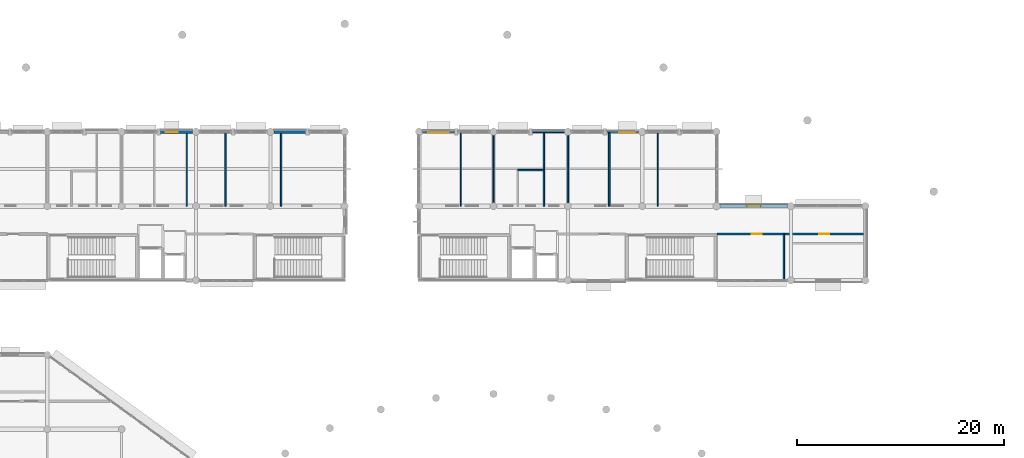
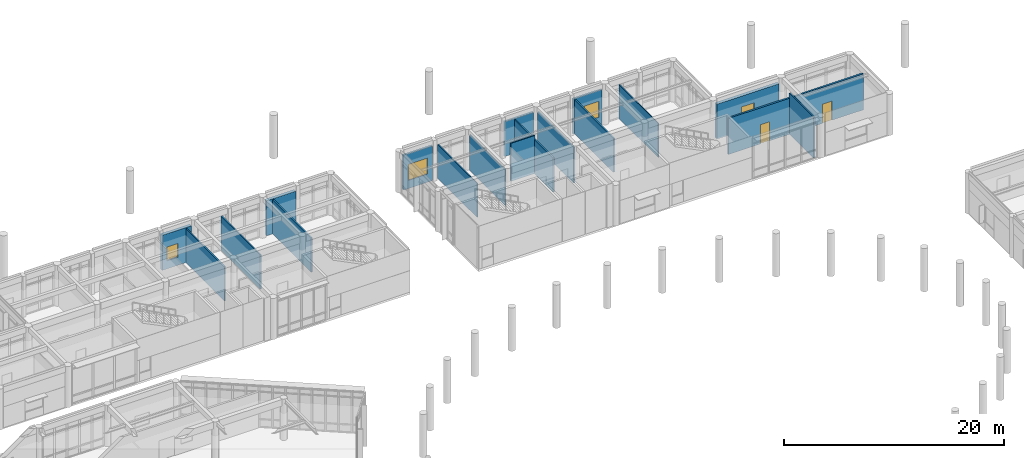
# One storey, part 52 of 92: 18 walls, 4 windows, 2 doors, 6 openings.
"""IFC4 building model written with IfcOpenShell, lengths in metres."""

from ifc_helpers import new_model, si_unit, direction, frame, frame_2d, origin, place, context, subcontext, project, spatial, rectangle, extrude, material, layer, layer_set, type_object, element, fill, save


model = new_model("IFC4")

# Units and contexts
model_context = context("Model", 3, precision=1e-05, world=origin(), true_north=direction((0.0, 1.0)))
body_context = subcontext(model_context, "Body", "Model", "MODEL_VIEW")
ifc_project = project(units=[si_unit("LENGTHUNIT", "METRE"), si_unit("AREAUNIT", "SQUARE_METRE"), si_unit("VOLUMEUNIT", "CUBIC_METRE"), si_unit("PLANEANGLEUNIT", "RADIAN"), si_unit("MASSUNIT", "GRAM", prefix="KILO")], contexts=[model_context])

# Site, building, storey
site_placement = place(None, origin())
site = spatial("IfcSite", under=ifc_project, at=site_placement, CompositionType="ELEMENT")
building_placement = place(site_placement, origin())
building = spatial("IfcBuilding", under=site, at=building_placement, Name="Namkhue Oval Health Centre", CompositionType="ELEMENT")
storey_placement = place(building_placement, frame((0.0, 0.0, 4.800048828125)))
storey = spatial("IfcBuildingStorey", under=building, at=storey_placement, Name="L01", CompositionType="ELEMENT", Elevation=4.800048828125)

# Wall, opening, window
ifc_material_1 = material(Name="Autoclaved aerated concrete blockwork M7.5", Category="masonry")
ifc_layer_1 = layer(ifc_material_1, 0.179931640625)
ifc_layer_set_1 = layer_set([ifc_layer_1], Name="Autoclaved aerated concrete blockwork M7.5")
wall_type_1 = type_object("IfcWallType", Name="EXTERIOR ENVELOPE WALL 180", PredefinedType="STANDARD", material=ifc_layer_set_1)
wall_1_placement = place(storey_placement, frame((114.85498046875, 104.39990234375, 0.0), z_axis=(0.0, 0.0, 1.0), x_axis=(-1.0, 0.0, 0.0)))
wall_1 = element("IfcWall", 1, at=wall_1_placement, inside=storey, type_object=wall_type_1, Name="Volume V3 L01 Exterior Envelope Wall 65", PredefinedType="STANDARD", context=body_context, shape_type="SweptSolid", body=[
    extrude(rectangle(XDim=3.083984375, YDim=0.179931640625, at=frame_2d((1.5419921875, 0.0))), origin(), (0.0, 0.0, 1.0), 3.8798828125),
])
opening_1_placement = place(wall_1_placement, frame((0.31689453125, 0.0, 0.89990234375)))
opening_1 = element("IfcOpeningElement", 2, at=opening_1_placement, cuts=wall_1, Name="Opening WN-42", PredefinedType="OPENING", context=body_context, shape_type="SweptSolid", body=[
    extrude(rectangle(XDim=1.550048828125, YDim=1.780029296875, at=frame_2d((0.77490234375, 0.89013671875))), frame((0.0, 0.099853515625, 0.0), z_axis=(0.0, -1.0, 0.0), x_axis=(1.0, 0.0, 0.0)), (0.0, 0.0, 1.0), 0.199951171875),
])
ifc_material_2 = material(Name="Thermally broken low-E laminated double glazing", Category="glass")
window_type_1 = type_object("IfcWindowType", Name="EXTERIOR WINDOW 1550X1780", PartitioningType="SINGLE_PANEL", PredefinedType="WINDOW", material=ifc_material_2)
window_1_placement = place(opening_1_placement, origin())
window_1 = element("IfcWindow", 3, at=window_1_placement, inside=storey, type_object=window_type_1, Name="Volume V3 L01 Exterior Window 42", OverallHeight=1.780029296875, OverallWidth=1.550048828125, PartitioningType="SINGLE_PANEL", PredefinedType="WINDOW", context=body_context, shape_type="SweptSolid", body=[
    extrude(rectangle(XDim=1.550048828125, YDim=1.780029296875, at=frame_2d((0.77490234375, 0.89013671875))), frame((0.0, 0.030029296875, 0.0), z_axis=(0.0, -1.0, 0.0), x_axis=(1.0, 0.0, 0.0)), (0.0, 0.0, 1.0), 0.06005859375),
])
fill(opening_1, window_1)

# Wall
ifc_layer_2 = layer(ifc_material_1, 0.18994140625)
ifc_layer_set_2 = layer_set([ifc_layer_2], Name="Autoclaved aerated concrete blockwork M7.5")
wall_type_2 = type_object("IfcWallType", Name="EXTERIOR ENVELOPE WALL 190", PredefinedType="STANDARD", material=ifc_layer_set_2)
wall_2_placement = place(storey_placement, frame((107.655029296875, 104.39990234375, 0.0), z_axis=(0.0, 0.0, 1.0), x_axis=(-1.0, 0.0, 0.0)))
element("IfcWall", 4, at=wall_2_placement, inside=storey, type_object=wall_type_2, Name="Volume V3 L01 Exterior Envelope Wall 66", PredefinedType="STANDARD", context=body_context, shape_type="SweptSolid", body=[
    extrude(rectangle(XDim=3.083984375, YDim=0.18994140625, at=frame_2d((1.5419921875, 0.0))), origin(), (0.0, 0.0, 1.0), 3.8798828125),
])

# Wall, opening, window
ifc_layer_3 = layer(ifc_material_1, 0.199951171875)
ifc_layer_set_3 = layer_set([ifc_layer_3], Name="Autoclaved aerated concrete blockwork M7.5")
wall_type_3 = type_object("IfcWallType", Name="EXTERIOR ENVELOPE WALL 200", PredefinedType="STANDARD", material=ifc_layer_set_3)
wall_3_placement = place(storey_placement, frame((97.029052734375, 104.39990234375, 0.0), z_axis=(0.0, 0.0, 1.0), x_axis=(-1.0, 0.0, 0.0)))
wall_3 = element("IfcWall", 5, at=wall_3_placement, inside=storey, type_object=wall_type_3, Name="Volume V3 L01 Exterior Envelope Wall 67", PredefinedType="STANDARD", context=body_context, shape_type="SweptSolid", body=[
    extrude(rectangle(XDim=3.083984375, YDim=0.199951171875, at=frame_2d((1.5419921875, 0.0))), origin(), (0.0, 0.0, 1.0), 3.8798828125),
])
opening_2_placement = place(wall_3_placement, frame((0.5419921875, 0.0, 0.89990234375)))
opening_2 = element("IfcOpeningElement", 6, at=opening_2_placement, cuts=wall_3, Name="Opening WN-44", PredefinedType="OPENING", context=body_context, shape_type="SweptSolid", body=[
    extrude(rectangle(XDim=2.0, YDim=1.780029296875, at=frame_2d((1.0, 0.89013671875))), frame((0.0, 0.10986328125, 0.0), z_axis=(0.0, -1.0, 0.0), x_axis=(1.0, 0.0, 0.0)), (0.0, 0.0, 1.0), 0.219970703125),
])
window_type_2 = type_object("IfcWindowType", Name="EXTERIOR WINDOW 2000X1780", PartitioningType="SINGLE_PANEL", PredefinedType="WINDOW", material=ifc_material_2)
window_2_placement = place(opening_2_placement, origin())
window_2 = element("IfcWindow", 7, at=window_2_placement, inside=storey, type_object=window_type_2, Name="Volume V3 L01 Exterior Window 44", OverallHeight=1.780029296875, OverallWidth=2.0, PartitioningType="SINGLE_PANEL", PredefinedType="WINDOW", context=body_context, shape_type="SweptSolid", body=[
    extrude(rectangle(XDim=2.0, YDim=1.780029296875, at=frame_2d((1.0, 0.89013671875))), frame((0.0, 0.030029296875, 0.0), z_axis=(0.0, -1.0, 0.0), x_axis=(1.0, 0.0, 0.0)), (0.0, 0.0, 1.0), 0.06005859375),
])
fill(opening_2, window_2)

# Wall
ifc_layer_4 = layer(ifc_material_1, 0.31005859375)
ifc_layer_set_4 = layer_set([ifc_layer_4], Name="Autoclaved aerated concrete blockwork M7.5")
wall_type_4 = type_object("IfcWallType", Name="EXTERIOR ENVELOPE WALL 310", PredefinedType="STANDARD", material=ifc_layer_set_4)
wall_4_placement = place(storey_placement, frame((82.62890625, 104.39990234375, 0.0), z_axis=(0.0, 0.0, 1.0), x_axis=(-1.0, 0.0, 0.0)))
element("IfcWall", 8, at=wall_4_placement, inside=storey, type_object=wall_type_4, Name="Volume V2 L01 Exterior Envelope Wall 30", PredefinedType="STANDARD", context=body_context, shape_type="SweptSolid", body=[
    extrude(rectangle(XDim=3.083984375, YDim=0.31005859375, at=frame_2d((1.5419921875, 0.0))), origin(), (0.0, 0.0, 1.0), 3.905029296875),
])

# Wall, opening, window
ifc_layer_5 = layer(ifc_material_1, 0.320068359375)
ifc_layer_set_5 = layer_set([ifc_layer_5], Name="Autoclaved aerated concrete blockwork M7.5")
wall_type_5 = type_object("IfcWallType", Name="EXTERIOR ENVELOPE WALL 320", PredefinedType="STANDARD", material=ifc_layer_set_5)
wall_5_placement = place(storey_placement, frame((71.655029296875, 104.39990234375, 0.0), z_axis=(0.0, 0.0, 1.0), x_axis=(-1.0, 0.0, 0.0)))
wall_5 = element("IfcWall", 9, at=wall_5_placement, inside=storey, type_object=wall_type_5, Name="Volume V2 L01 Exterior Envelope Wall 31", PredefinedType="STANDARD", context=body_context, shape_type="SweptSolid", body=[
    extrude(rectangle(XDim=3.083984375, YDim=0.320068359375, at=frame_2d((1.5419921875, 0.0))), origin(), (0.0, 0.0, 1.0), 3.905029296875),
])
opening_3_placement = place(wall_5_placement, frame((1.4169921875, 0.0, 0.89990234375)))
opening_3 = element("IfcOpeningElement", 10, at=opening_3_placement, cuts=wall_5, Name="Opening WN-21", PredefinedType="OPENING", context=body_context, shape_type="SweptSolid", body=[
    extrude(rectangle(XDim=1.14990234375, YDim=1.5400390625, at=frame_2d((0.574951171875, 0.77001953125))), frame((0.0, 0.169921875, 0.0), z_axis=(0.0, -1.0, 0.0), x_axis=(1.0, 0.0, 0.0)), (0.0, 0.0, 1.0), 0.340087890625),
])
window_type_3 = type_object("IfcWindowType", Name="EXTERIOR WINDOW 1150X1540", PartitioningType="SINGLE_PANEL", PredefinedType="WINDOW", material=ifc_material_2)
window_3_placement = place(opening_3_placement, origin())
window_3 = element("IfcWindow", 11, at=window_3_placement, inside=storey, type_object=window_type_3, Name="Volume V2 L01 Exterior Window 21", OverallHeight=1.5400390625, OverallWidth=1.14990234375, PartitioningType="SINGLE_PANEL", PredefinedType="WINDOW", context=body_context, shape_type="SweptSolid", body=[
    extrude(rectangle(XDim=1.14990234375, YDim=1.5400390625, at=frame_2d((0.574951171875, 0.77001953125))), frame((0.0, 0.030029296875, 0.0), z_axis=(0.0, -1.0, 0.0), x_axis=(1.0, 0.0, 0.0)), (0.0, 0.0, 1.0), 0.06005859375),
])
fill(opening_3, window_3)

ifc_layer_6 = layer(ifc_material_1, 0.330078125)
ifc_layer_set_6 = layer_set([ifc_layer_6], Name="Autoclaved aerated concrete blockwork M7.5")
wall_type_6 = type_object("IfcWallType", Name="EXTERIOR ENVELOPE WALL 330", PredefinedType="STANDARD", material=ifc_layer_set_6)
wall_6_placement = place(storey_placement, frame((129.2548828125, 97.199951171875, 0.0), z_axis=(0.0, 0.0, 1.0), x_axis=(-1.0, 0.0, 0.0)))
wall_6 = element("IfcWall", 12, at=wall_6_placement, inside=storey, type_object=wall_type_6, Name="Volume V3 L01 Exterior Envelope Wall 64", PredefinedType="STANDARD", context=body_context, shape_type="SweptSolid", body=[
    extrude(rectangle(XDim=6.509765625, YDim=0.330078125, at=frame_2d((3.2548828125, 0.0))), origin(), (0.0, 0.0, 1.0), 3.8798828125),
])
opening_4_placement = place(wall_6_placement, frame((2.580078125, 0.0, 0.89990234375)))
opening_4 = element("IfcOpeningElement", 13, at=opening_4_placement, cuts=wall_6, Name="Opening WN-41", PredefinedType="OPENING", context=body_context, shape_type="SweptSolid", body=[
    extrude(rectangle(XDim=1.35009765625, YDim=1.780029296875, at=frame_2d((0.675048828125, 0.89013671875))), frame((0.0, 0.175048828125, 0.0), z_axis=(0.0, -1.0, 0.0), x_axis=(1.0, 0.0, 0.0)), (0.0, 0.0, 1.0), 0.35009765625),
])
window_type_4 = type_object("IfcWindowType", Name="EXTERIOR WINDOW 1350X1780", PartitioningType="SINGLE_PANEL", PredefinedType="WINDOW", material=ifc_material_2)
window_4_placement = place(opening_4_placement, origin())
window_4 = element("IfcWindow", 14, at=window_4_placement, inside=storey, type_object=window_type_4, Name="Volume V3 L01 Exterior Window 41", OverallHeight=1.780029296875, OverallWidth=1.35009765625, PartitioningType="SINGLE_PANEL", PredefinedType="WINDOW", context=body_context, shape_type="SweptSolid", body=[
    extrude(rectangle(XDim=1.35009765625, YDim=1.780029296875, at=frame_2d((0.675048828125, 0.89013671875))), frame((0.0, 0.030029296875, 0.0), z_axis=(0.0, -1.0, 0.0), x_axis=(1.0, 0.0, 0.0)), (0.0, 0.0, 1.0), 0.06005859375),
])
fill(opening_4, window_4)

# Wall, openings, doors
ifc_material_3 = material(Name="Gypsum plasterboard acoustic partition", Category="gypsum")
ifc_layer_7 = layer(ifc_material_3, 0.195068359375)
ifc_layer_set_7 = layer_set([ifc_layer_7], Name="Gypsum plasterboard acoustic partition")
wall_type_7 = type_object("IfcWallType", Name="FIRE PARTITION WALL 195", PredefinedType="PARTITIONING", material=ifc_layer_set_7)
wall_7_placement = place(storey_placement, frame((122.419921875, 94.5, 0.0), z_axis=(0.0, 0.0, 1.0), x_axis=(1.0, 0.0, 0.0)))
wall_7 = element("IfcWall", 15, at=wall_7_placement, inside=storey, type_object=wall_type_7, Name="Volume V3 L01 Clinical Partition Wall 122", PredefinedType="PARTITIONING", context=body_context, shape_type="SweptSolid", body=[
    extrude(rectangle(XDim=14.197998046875, YDim=0.195068359375, at=frame_2d((7.09912109375, 0.0))), origin(), (0.0, 0.0, 1.0), 4.011962890625),
])
opening_5_placement = place(wall_7_placement, frame((3.386962890625, 0.0, 0.0)))
opening_5 = element("IfcOpeningElement", 16, at=opening_5_placement, cuts=wall_7, Name="Opening CD-08", PredefinedType="OPENING", context=body_context, shape_type="SweptSolid", body=[
    extrude(rectangle(XDim=0.949951171875, YDim=2.1298828125, at=frame_2d((0.47509765625, 1.06494140625))), frame((0.0, 0.107421875, 0.0), z_axis=(0.0, -1.0, 0.0), x_axis=(1.0, 0.0, 0.0)), (0.0, 0.0, 1.0), 0.215087890625),
])
opening_6_placement = place(wall_7_placement, frame((9.89697265625, 0.0, 0.0)))
opening_6 = element("IfcOpeningElement", 17, at=opening_6_placement, cuts=wall_7, Name="Opening CD-09", PredefinedType="OPENING", context=body_context, shape_type="SweptSolid", body=[
    extrude(rectangle(XDim=1.0, YDim=2.1298828125, at=frame_2d((0.5, 1.06494140625))), frame((0.0, 0.107421875, 0.0), z_axis=(0.0, -1.0, 0.0), x_axis=(1.0, 0.0, 0.0)), (0.0, 0.0, 1.0), 0.215087890625),
])
ifc_material_4 = material(Name="High-pressure laminate timber clinical door", Category="wood")
door_type_1 = type_object("IfcDoorType", Name="CLINICAL DOOR 1000X2130", OperationType="NOTDEFINED", PredefinedType="DOOR", material=ifc_material_4)
door_1_placement = place(opening_6_placement, frame((1.0, 0.0, 0.0), z_axis=(0.0, 0.0, 1.0), x_axis=(-1.0, 0.0, 0.0)))
door_1 = element("IfcDoor", 18, at=door_1_placement, inside=storey, type_object=door_type_1, Name="Volume V3 L01 Neurophysiology EEG Suite Door 103", OperationType="SINGLE_SWING_LEFT", OverallHeight=2.1298828125, OverallWidth=1.0, PredefinedType="DOOR", context=body_context, shape_type="SweptSolid", body=[
    extrude(rectangle(XDim=1.0, YDim=2.1298828125, at=frame_2d((0.5, 1.06494140625))), frame((0.0, 0.02490234375, 0.0), z_axis=(0.0, -1.0, 0.0), x_axis=(1.0, 0.0, 0.0)), (0.0, 0.0, 1.0), 0.050048828125),
])
fill(opening_6, door_1)
door_type_2 = type_object("IfcDoorType", Name="CLINICAL DOOR 950X2130", OperationType="NOTDEFINED", PredefinedType="DOOR", material=ifc_material_4)
door_2_placement = place(opening_5_placement, frame((0.949951171875, 0.0, 0.0), z_axis=(0.0, 0.0, 1.0), x_axis=(-1.0, 0.0, 0.0)))
door_2 = element("IfcDoor", 19, at=door_2_placement, inside=storey, type_object=door_type_2, Name="Volume V3 L01 Fetal Monitoring Clinic Door 102", OperationType="SINGLE_SWING_RIGHT", OverallHeight=2.1298828125, OverallWidth=0.949951171875, PredefinedType="DOOR", context=body_context, shape_type="SweptSolid", body=[
    extrude(rectangle(XDim=0.949951171875, YDim=2.1298828125, at=frame_2d((0.47509765625, 1.06494140625))), frame((0.0, 0.02490234375, 0.0), z_axis=(0.0, -1.0, 0.0), x_axis=(1.0, 0.0, 0.0)), (0.0, 0.0, 1.0), 0.050048828125),
])
fill(opening_5, door_2)

# Walls
ifc_layer_8 = layer(ifc_material_3, 0.10009765625)
ifc_layer_set_8 = layer_set([ifc_layer_8], Name="Gypsum plasterboard acoustic partition")
wall_type_8 = type_object("IfcWallType", Name="INTERIOR PARTITION WALL 100", PredefinedType="PARTITIONING", material=ifc_layer_set_8)
for number, where, z_axis, x_axis, name in (
    (20, (97.64990234375, 97.199951171875, 0.0), (0.0, 0.0, 1.0), (0.0, 1.0, 0.0), "Volume V3 L01 Clinical Partition Wall 113"),
    (21, (116.695068359375, 97.199951171875, 0.0), (0.0, 0.0, 1.0), (0.0, 1.0, 0.0), "Volume V3 L01 Clinical Partition Wall 120"),
):
    element("IfcWall", number, at=place(storey_placement, frame(where, z_axis=z_axis, x_axis=x_axis)), inside=storey, type_object=wall_type_8, Name=name, PredefinedType="PARTITIONING", context=body_context, shape_type="SweptSolid", body=[
        extrude(rectangle(XDim=7.16015625, YDim=0.10009765625, at=frame_2d((3.580078125, 0.0))), origin(), (0.0, 0.0, 1.0), 3.780029296875),
    ])
ifc_layer_9 = layer(ifc_material_3, 0.110107421875)
ifc_layer_set_9 = layer_set([ifc_layer_9], Name="Gypsum plasterboard acoustic partition")
wall_type_9 = type_object("IfcWallType", Name="INTERIOR PARTITION WALL 110", PredefinedType="PARTITIONING", material=ifc_layer_set_9)
wall_8_placement = place(storey_placement, frame((100.800048828125, 97.52490234375, 0.0), z_axis=(0.0, 0.0, 1.0), x_axis=(0.0, 1.0, 0.0)))
element("IfcWall", 22, at=wall_8_placement, inside=storey, type_object=wall_type_9, Name="Volume V3 L01 Clinical Partition Wall 114", PredefinedType="PARTITIONING", context=body_context, shape_type="SweptSolid", body=[
    extrude(rectangle(XDim=6.525146484375, YDim=0.110107421875, at=frame_2d((3.2626953125, 0.0))), origin(), (0.0, 0.0, 1.0), 3.97998046875),
])
ifc_layer_10 = layer(ifc_material_3, 0.1298828125)
ifc_layer_set_10 = layer_set([ifc_layer_10], Name="Gypsum plasterboard acoustic partition")
wall_type_10 = type_object("IfcWallType", Name="INTERIOR PARTITION WALL 130", PredefinedType="PARTITIONING", material=ifc_layer_set_10)
wall_9_placement = place(storey_placement, frame((71.10009765625, 97.199951171875, 0.0), z_axis=(0.0, 0.0, 1.0), x_axis=(0.0, 1.0, 0.0)))
element("IfcWall", 23, at=wall_9_placement, inside=storey, type_object=wall_type_10, Name="Volume V2 L01 Clinical Partition Wall 53", PredefinedType="PARTITIONING", context=body_context, shape_type="SweptSolid", body=[
    extrude(rectangle(XDim=7.01806640625, YDim=0.1298828125, at=frame_2d((3.509033203125, 0.0))), origin(), (0.0, 0.0, 1.0), 3.804931640625),
])
wall_10_placement = place(storey_placement, frame((103.139892578125, 100.679931640625, 0.0), z_axis=(0.0, 0.0, 1.0), x_axis=(1.0, 0.0, 0.0)))
element("IfcWall", 24, at=wall_10_placement, inside=storey, type_object=wall_type_10, Name="Volume V3 L01 Clinical Partition Wall 116", PredefinedType="PARTITIONING", context=body_context, shape_type="SweptSolid", body=[
    extrude(rectangle(XDim=2.5400390625, YDim=0.1298828125, at=frame_2d((1.27001953125, 0.0))), origin(), (0.0, 0.0, 1.0), 4.22998046875),
])
wall_11_placement = place(storey_placement, frame((128.919921875, 90.0400390625, 0.0), z_axis=(0.0, 0.0, 1.0), x_axis=(0.0, 1.0, 0.0)))
element("IfcWall", 25, at=wall_11_placement, inside=storey, type_object=wall_type_10, Name="Volume V3 L01 Clinical Partition Wall 123", PredefinedType="PARTITIONING", context=body_context, shape_type="SweptSolid", body=[
    extrude(rectangle(XDim=4.4599609375, YDim=0.1298828125, at=frame_2d((2.22998046875, 0.0))), origin(), (0.0, 0.0, 1.0), 4.530029296875),
])
ifc_layer_11 = layer(ifc_material_3, 0.139892578125)
ifc_layer_set_11 = layer_set([ifc_layer_11], Name="Gypsum plasterboard acoustic partition")
wall_type_11 = type_object("IfcWallType", Name="INTERIOR PARTITION WALL 140", PredefinedType="PARTITIONING", material=ifc_layer_set_11)
wall_12_placement = place(storey_placement, frame((74.873046875, 97.199951171875, 0.0), z_axis=(0.0, 0.0, 1.0), x_axis=(0.0, 1.0, 0.0)))
element("IfcWall", 26, at=wall_12_placement, inside=storey, type_object=wall_type_11, Name="Volume V2 L01 Clinical Partition Wall 54", PredefinedType="PARTITIONING", context=body_context, shape_type="SweptSolid", body=[
    extrude(rectangle(XDim=7.16015625, YDim=0.139892578125, at=frame_2d((3.580078125, 0.0))), origin(), (0.0, 0.0, 1.0), 3.804931640625),
])
wall_13_placement = place(storey_placement, frame((105.679931640625, 97.199951171875, 0.0), z_axis=(0.0, 0.0, 1.0), x_axis=(0.0, 1.0, 0.0)))
element("IfcWall", 27, at=wall_13_placement, inside=storey, type_object=wall_type_11, Name="Volume V3 L01 Clinical Partition Wall 117", PredefinedType="PARTITIONING", context=body_context, shape_type="SweptSolid", body=[
    extrude(rectangle(XDim=7.0830078125, YDim=0.139892578125, at=frame_2d((3.54150390625, 0.0))), origin(), (0.0, 0.0, 1.0), 3.780029296875),
])
ifc_layer_12 = layer(ifc_material_3, 0.14990234375)
ifc_layer_set_12 = layer_set([ifc_layer_12], Name="Gypsum plasterboard acoustic partition")
wall_type_12 = type_object("IfcWallType", Name="INTERIOR PARTITION WALL 150", PredefinedType="PARTITIONING", material=ifc_layer_set_12)
wall_14_placement = place(storey_placement, frame((80.23388671875, 97.199951171875, 0.0), z_axis=(0.0, 0.0, 1.0), x_axis=(0.0, 1.0, 0.0)))
element("IfcWall", 28, at=wall_14_placement, inside=storey, type_object=wall_type_12, Name="Volume V2 L01 Clinical Partition Wall 55", PredefinedType="PARTITIONING", context=body_context, shape_type="SweptSolid", body=[
    extrude(rectangle(XDim=7.02294921875, YDim=0.14990234375, at=frame_2d((3.511474609375, 0.0))), origin(), (0.0, 0.0, 1.0), 3.804931640625),
])
wall_15_placement = place(storey_placement, frame((108.0, 97.52490234375, 0.0), z_axis=(0.0, 0.0, 1.0), x_axis=(0.0, 1.0, 0.0)))
element("IfcWall", 29, at=wall_15_placement, inside=storey, type_object=wall_type_12, Name="Volume V3 L01 Clinical Partition Wall 118", PredefinedType="PARTITIONING", context=body_context, shape_type="SweptSolid", body=[
    extrude(rectangle(XDim=6.525146484375, YDim=0.14990234375, at=frame_2d((3.2626953125, 0.0))), origin(), (0.0, 0.0, 1.0), 3.97998046875),
])
ifc_layer_13 = layer(ifc_material_3, 0.159912109375)
ifc_layer_set_13 = layer_set([ifc_layer_13], Name="Gypsum plasterboard acoustic partition")
wall_type_13 = type_object("IfcWallType", Name="INTERIOR PARTITION WALL 160", PredefinedType="PARTITIONING", material=ifc_layer_set_13)
wall_16_placement = place(storey_placement, frame((112.0048828125, 97.199951171875, 0.0), z_axis=(0.0, 0.0, 1.0), x_axis=(0.0, 1.0, 0.0)))
element("IfcWall", 30, at=wall_16_placement, inside=storey, type_object=wall_type_13, Name="Volume V3 L01 Clinical Partition Wall 119", PredefinedType="PARTITIONING", context=body_context, shape_type="SweptSolid", body=[
    extrude(rectangle(XDim=7.088134765625, YDim=0.159912109375, at=frame_2d((3.5439453125, 0.0))), origin(), (0.0, 0.0, 1.0), 3.780029296875),
])

save(model, "model.ifc")
